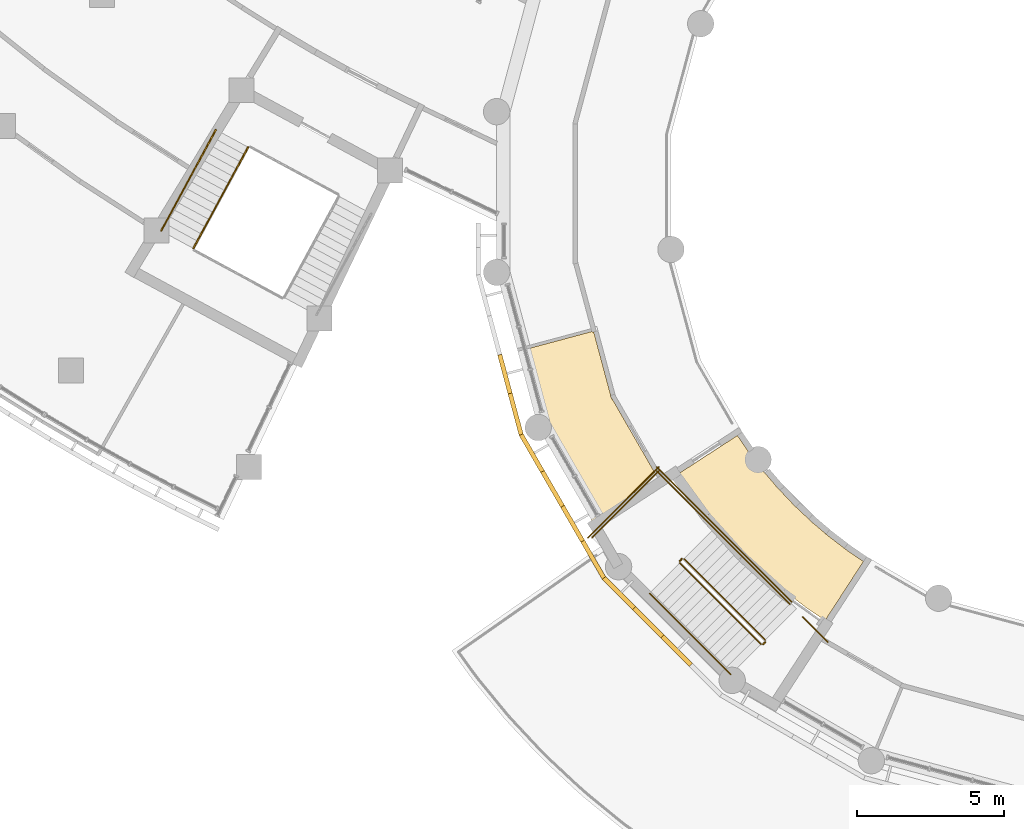
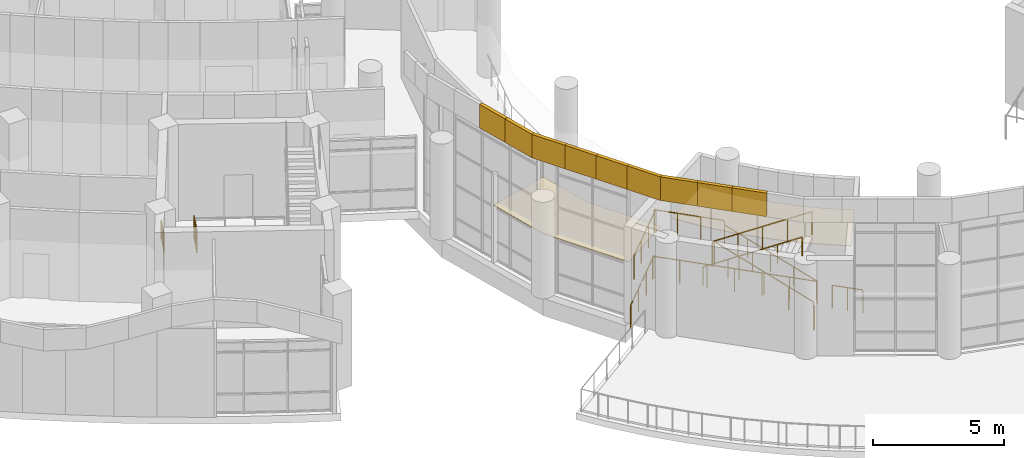
# One storey, part 116 of 136: 13 railings, 11 coverings.
"""IFC4 building model written with IfcOpenShell, lengths in metres."""

from ifc_helpers import new_model, si_unit, direction, frame, origin, origin_2d, place, context, subcontext, project, spatial, polyline, circle, outline, extrude, material, layer, layer_set, type_object, element, save


model = new_model("IFC4")

# Units and contexts
model_context = context("Model", 3, precision=1e-05, world=origin(), true_north=direction((0.0, 1.0)))
body_context = subcontext(model_context, "Body", "Model", "MODEL_VIEW")
ifc_project = project(units=[si_unit("LENGTHUNIT", "METRE"), si_unit("AREAUNIT", "SQUARE_METRE"), si_unit("VOLUMEUNIT", "CUBIC_METRE"), si_unit("PLANEANGLEUNIT", "RADIAN"), si_unit("MASSUNIT", "GRAM", prefix="KILO")], contexts=[model_context])

# Site, building, storey
site_placement = place(None, origin())
site = spatial("IfcSite", under=ifc_project, at=site_placement, CompositionType="ELEMENT")
building_placement = place(site_placement, origin())
building = spatial("IfcBuilding", under=site, at=building_placement, Name="Bougainvillea Quay General Hospital", CompositionType="ELEMENT")
storey_placement = place(building_placement, frame((0.0, 0.0, 5.39990234375)))
storey = spatial("IfcBuildingStorey", under=building, at=storey_placement, Name="L01", CompositionType="ELEMENT", Elevation=5.39990234375)

# Coverings
ifc_material_1 = material(Name="Powder-coated aluminium fascia, white", Category="aluminium")
ifc_layer_1 = layer(ifc_material_1, 0.14990234375)
ifc_layer_set_1 = layer_set([ifc_layer_1], Name="Powder-coated aluminium fascia, white")
covering_type_1 = type_object("IfcCoveringType", Name="Aluminium fascia band white 150x1100", PredefinedType="CLADDING", material=ifc_layer_set_1)
covering_1_placement = place(storey_placement, frame((88.558349609375, 68.46923828125, 6.650146484375), z_axis=(0.0, 0.0, 1.0), x_axis=(0.258804342537, -0.96592976571, 0.0)))
element("IfcCovering", 1, at=covering_1_placement, inside=storey, type_object=covering_type_1, Name="Fascia band white e0 5", PredefinedType="CLADDING", context=body_context, shape_type="SweptSolid", body=[
    extrude(outline(polyline([(0.0, 0.0), (1.3706737864135623, -5.551115123125783e-17), (1.370637910749763, -0.15012504182005457), (-3.5875663799166124e-05, -0.15012504182005454), (0.0, 0.0)])), origin(), (0.0, 0.0, 1.0), 1.10009765625),
])
covering_2_placement = place(storey_placement, frame((88.9130859375, 67.145263671875, 6.650146484375), z_axis=(0.0, 0.0, 1.0), x_axis=(0.258747363618, -0.965945030434, 0.0)))
element("IfcCovering", 2, at=covering_2_placement, inside=storey, type_object=covering_type_1, Name="Fascia band white e0 6", PredefinedType="CLADDING", context=body_context, shape_type="SweptSolid", body=[
    extrude(outline(polyline([(0.0, 0.0), (1.4426852911843133, 0.0), (1.462442488504424, -0.14986418031882914), (-2.7020056225221523e-05, -0.1501250436751075), (0.0, 0.0)])), origin(), (0.0, 0.0, 1.0), 1.10009765625),
])
covering_3_placement = place(storey_placement, frame((89.286376953125, 65.751708984375, 6.650146484375), z_axis=(0.0, 0.0, 1.0), x_axis=(0.49994213401, -0.866058810152, 0.0)))
element("IfcCovering", 3, at=covering_3_placement, inside=storey, type_object=covering_type_1, Name="Fascia band white e0 7", PredefinedType="CLADDING", context=body_context, shape_type="SweptSolid", body=[
    extrude(outline(polyline([(0.0, 0.0), (1.4430380994058942, 0.0), (1.443016331686934, -0.14995740286665526), (-0.019704824865206458, -0.14987107548026693), (0.0, 0.0)])), origin(), (0.0, 0.0, 1.0), 1.10009765625),
])
for number, where, z_axis, x_axis, name in (
    (4, (90.0078125, 64.501953125, 6.650146484375), (0.0, 0.0, 1.0), (0.499989712218, -0.866031343357, 0.0), "Fascia band white e0 8"),
    (5, (90.693115234375, 63.31494140625, 6.650146484375), (0.0, 0.0, 1.0), (0.499989712218, -0.866031343357, 0.0), "Fascia band white e0 9"),
):
    element("IfcCovering", number, at=place(storey_placement, frame(where, z_axis=z_axis, x_axis=x_axis)), inside=storey, type_object=covering_type_1, Name=name, PredefinedType="CLADDING", context=body_context, shape_type="SweptSolid", body=[
        extrude(outline(polyline([(0.0, 0.0), (1.3706336703115394, 0.0), (1.3706036643327093, -0.14995740144450087), (-3.0005978829975022e-05, -0.14995740144450084), (0.0, 0.0)])), origin(), (0.0, 0.0, 1.0), 1.10009765625),
    ])
covering_4_placement = place(storey_placement, frame((91.37841796875, 62.1279296875, 6.650146484375), z_axis=(0.0, 0.0, 1.0), x_axis=(0.500015396624, -0.866016514357, 0.0)))
element("IfcCovering", 6, at=covering_4_placement, inside=storey, type_object=covering_type_1, Name="Fascia band white e0 10", PredefinedType="CLADDING", context=body_context, shape_type="SweptSolid", body=[
    extrude(outline(polyline([(0.0, 0.0), (1.4428266644293797, 0.0), (1.4626866906226388, -0.15016746703797101), (-3.44533927520152e-05, -0.1499574004886377), (0.0, 0.0)])), origin(), (0.0, 0.0, 1.0), 1.10009765625),
])
covering_5_placement = place(storey_placement, frame((92.099853515625, 60.87841796875, 6.650146484375), z_axis=(0.0, 0.0, 1.0), x_axis=(0.707106781187, -0.707106781187, 0.0)))
element("IfcCovering", 7, at=covering_5_placement, inside=storey, type_object=covering_type_1, Name="Fascia band white e0 11", PredefinedType="CLADDING", context=body_context, shape_type="SweptSolid", body=[
    extrude(outline(polyline([(0.0, 0.0), (1.4428707219621983, 0.0), (1.4428707219621983, -0.15019113760554115), (-0.01968021803107091, -0.1501911376055411), (0.0, 0.0)])), origin(), (0.0, 0.0, 1.0), 1.10009765625),
])
for number, where, z_axis, x_axis, name in (
    (8, (93.1201171875, 59.858154296875, 6.650146484375), (0.0, 0.0, 1.0), (0.707106781187, -0.707106781187, 0.0), "Fascia band white e0 12"),
    (9, (94.089111328125, 58.88916015625, 6.650146484375), (0.0, 0.0, 1.0), (0.707106781187, -0.707106781187, 0.0), "Fascia band white e0 13"),
):
    element("IfcCovering", number, at=place(storey_placement, frame(where, z_axis=z_axis, x_axis=x_axis)), inside=storey, type_object=covering_type_1, Name=name, PredefinedType="CLADDING", context=body_context, shape_type="SweptSolid", body=[
        extrude(outline(polyline([(0.0, 0.0), (1.370364655531937, 0.0), (1.370364655531937, -0.15019113760554115), (0.0, -0.15019113760554112), (0.0, 0.0)])), origin(), (0.0, 0.0, 1.0), 1.10009765625),
    ])

# Railings
ifc_material_2 = material(Name="Stainless steel 304 balustrade", Category="steel")
railing_type_1 = type_object("IfcRailingType", Name="Stair guard 1100", PredefinedType="GUARDRAIL", material=ifc_material_2)
railing_1_placement = place(storey_placement, frame((79.900634765625, 75.52734375, 0.150146484375)))
element("IfcRailing", 10, at=railing_1_placement, inside=storey, type_object=railing_type_1, Name="L01 ST-W1 stair guard 1", PredefinedType="GUARDRAIL", context=body_context, shape_type="SweptSolid", body=[
    extrude(circle(Radius=0.02392578125, at=origin_2d()), frame((0.0, 0.0, 1.076171875), z_axis=(-0.419376834955, -0.775344814775, 0.472190097846), x_axis=(0.879577626518, -0.475755398214, 0.0)), (0.0, 0.0, 1.0), 4.447021484375),
    extrude(circle(Radius=0.02099609375, at=origin_2d()), origin(), (0.0, 0.0, 1.0), 1.052001953125),
    extrude(circle(Radius=0.02099609375, at=origin_2d()), frame((-0.46630859375, -0.862060546875, 0.52490234375)), (0.0, 0.0, 1.0), 1.052001953125),
    extrude(circle(Radius=0.02099609375, at=origin_2d()), frame((-0.9326171875, -1.72412109375, 1.0498046875)), (0.0, 0.0, 1.0), 1.052001953125),
    extrude(circle(Radius=0.02099609375, at=origin_2d()), frame((-1.398681640625, -2.5859375, 1.574951171875)), (0.0, 0.0, 1.0), 1.052001953125),
    extrude(circle(Radius=0.02099609375, at=origin_2d()), frame((-1.864990234375, -3.447998046875, 2.099853515625)), (0.0, 0.0, 1.0), 1.052001953125),
])
railing_2_placement = place(storey_placement, frame((97.54052734375, 58.7119140625, 0.150146484375)))
element("IfcRailing", 11, at=railing_2_placement, inside=storey, type_object=railing_type_1, Name="L01 ST-H2 stair guard 1", PredefinedType="GUARDRAIL", context=body_context, shape_type="SweptSolid", body=[
    extrude(circle(Radius=0.02392578125, at=origin_2d()), frame((0.0, 0.0, 1.076171875), z_axis=(-0.623282307951, 0.623337208181, 0.472196875776), x_axis=(-0.707137920976, -0.707075640025, 0.0)), (0.0, 0.0, 1.0), 4.447021484375),
    extrude(circle(Radius=0.02099609375, at=origin_2d()), origin(), (0.0, 0.0, 1.0), 1.052001953125),
    extrude(circle(Radius=0.02099609375, at=origin_2d()), frame((-0.69287109375, 0.69287109375, 0.52490234375)), (0.0, 0.0, 1.0), 1.052001953125),
    extrude(circle(Radius=0.02099609375, at=origin_2d()), frame((-1.3857421875, 1.385986328125, 1.0498046875)), (0.0, 0.0, 1.0), 1.052001953125),
    extrude(circle(Radius=0.02099609375, at=origin_2d()), frame((-2.078857421875, 2.0791015625, 1.574951171875)), (0.0, 0.0, 1.0), 1.052001953125),
    extrude(circle(Radius=0.02099609375, at=origin_2d()), frame((-2.771728515625, 2.77197265625, 2.099853515625)), (0.0, 0.0, 1.0), 1.052001953125),
])
railing_3_placement = place(storey_placement, frame((94.697998046875, 61.48388671875, 2.25)))
element("IfcRailing", 12, at=railing_3_placement, inside=storey, type_object=railing_type_1, Name="L01 ST-H2 stair guard 2", PredefinedType="GUARDRAIL", context=body_context, shape_type="SweptSolid", body=[
    extrude(circle(Radius=0.02392578125, at=origin_2d()), frame((0.0, 0.0, 1.076171875), z_axis=(-0.705884473151, -0.708326979978, 0.0), x_axis=(0.708326979978, -0.705884473151, 0.0)), (0.0, 0.0, 1.0), 0.099853515625),
    extrude(circle(Radius=0.02099609375, at=origin_2d()), origin(), (0.0, 0.0, 1.0), 1.052001953125),
    extrude(circle(Radius=0.02099609375, at=origin_2d()), frame((-0.070556640625, -0.07080078125, 0.0)), (0.0, 0.0, 1.0), 1.052001953125),
])
railing_4_placement = place(storey_placement, frame((95.80322265625, 62.518310546875, 2.25)))
element("IfcRailing", 13, at=railing_4_placement, inside=storey, type_object=railing_type_1, Name="L01 ST-H2 stair guard 3", PredefinedType="GUARDRAIL", context=body_context, shape_type="SweptSolid", body=[
    extrude(circle(Radius=0.02392578125, at=origin_2d()), frame((0.0, 0.0, 1.076171875), z_axis=(-0.707106781187, 0.707106781187, 0.0), x_axis=(-0.707106781187, -0.707106781187, 0.0)), (0.0, 0.0, 1.0), 2.77490234375),
    extrude(circle(Radius=0.02099609375, at=origin_2d()), origin(), (0.0, 0.0, 1.0), 1.052001953125),
    extrude(circle(Radius=0.02099609375, at=origin_2d()), frame((-0.654052734375, 0.654052734375, 0.0)), (0.0, 0.0, 1.0), 1.052001953125),
    extrude(circle(Radius=0.02099609375, at=origin_2d()), frame((-1.30810546875, 1.30810546875, 0.0)), (0.0, 0.0, 1.0), 1.052001953125),
    extrude(circle(Radius=0.02099609375, at=origin_2d()), frame((-1.962158203125, 1.962158203125, 0.0)), (0.0, 0.0, 1.0), 1.052001953125),
])
railing_5_placement = place(storey_placement, frame((93.911865234375, 64.48046875, 2.25)))
element("IfcRailing", 14, at=railing_5_placement, inside=storey, type_object=railing_type_1, Name="L01 ST-H2 stair guard 4", PredefinedType="GUARDRAIL", context=body_context, shape_type="SweptSolid", body=[
    extrude(circle(Radius=0.02392578125, at=origin_2d()), frame((0.0, 0.0, 1.076171875), z_axis=(-0.707144619676, -0.707068940672, 0.0), x_axis=(0.707068940672, -0.707144619676, 0.0)), (0.0, 0.0, 1.0), 3.22607421875),
    extrude(circle(Radius=0.02099609375, at=origin_2d()), origin(), (0.0, 0.0, 1.0), 1.052001953125),
    extrude(circle(Radius=0.02099609375, at=origin_2d()), frame((-0.760498046875, -0.76025390625, 0.0)), (0.0, 0.0, 1.0), 1.052001953125),
    extrude(circle(Radius=0.02099609375, at=origin_2d()), frame((-1.520751953125, -1.520751953125, 0.0)), (0.0, 0.0, 1.0), 1.052001953125),
    extrude(circle(Radius=0.02099609375, at=origin_2d()), frame((-2.28125, -2.281005859375, 0.0)), (0.0, 0.0, 1.0), 1.052001953125),
])
railing_6_placement = place(storey_placement, frame((94.62744140625, 61.342529296875, 2.400146484375)))
element("IfcRailing", 15, at=railing_6_placement, inside=storey, type_object=railing_type_1, Name="L01 ST-H2 stair guard 5", PredefinedType="GUARDRAIL", context=body_context, shape_type="SweptSolid", body=[
    extrude(circle(Radius=0.02392578125, at=origin_2d()), frame((0.0, 0.0, 1.076171875), z_axis=(0.623282307951, -0.623337208181, 0.472196875776), x_axis=(0.707137920976, 0.707075640025, 0.0)), (0.0, 0.0, 1.0), 4.447021484375),
    extrude(circle(Radius=0.02099609375, at=origin_2d()), origin(), (0.0, 0.0, 1.0), 1.052001953125),
    extrude(circle(Radius=0.02099609375, at=origin_2d()), frame((0.69287109375, -0.69287109375, 0.52490234375)), (0.0, 0.0, 1.0), 1.052001953125),
    extrude(circle(Radius=0.02099609375, at=origin_2d()), frame((1.3857421875, -1.385986328125, 1.0498046875)), (0.0, 0.0, 1.0), 1.052001953125),
    extrude(circle(Radius=0.02099609375, at=origin_2d()), frame((2.078857421875, -2.0791015625, 1.574951171875)), (0.0, 0.0, 1.0), 1.052001953125),
    extrude(circle(Radius=0.02099609375, at=origin_2d()), frame((2.771728515625, -2.77197265625, 2.099853515625)), (0.0, 0.0, 1.0), 1.052001953125),
])
railing_7_placement = place(storey_placement, frame((97.54052734375, 58.641357421875, 0.0)))
element("IfcRailing", 16, at=railing_7_placement, inside=storey, type_object=railing_type_1, Name="L01 ST-H2 stair guard 6", PredefinedType="GUARDRAIL", context=body_context, shape_type="SweptSolid", body=[
    extrude(circle(Radius=0.02392578125, at=origin_2d()), frame((0.0, 0.0, 1.076171875), z_axis=(-0.705884473151, -0.708326979978, 0.0), x_axis=(0.708326979978, -0.705884473151, 0.0)), (0.0, 0.0, 1.0), 0.099853515625),
    extrude(circle(Radius=0.02099609375, at=origin_2d()), origin(), (0.0, 0.0, 1.0), 1.052001953125),
    extrude(circle(Radius=0.02099609375, at=origin_2d()), frame((-0.070556640625, -0.07080078125, 0.0)), (0.0, 0.0, 1.0), 1.052001953125),
])
railing_8_placement = place(storey_placement, frame((93.911865234375, 64.6220703125, 0.0)))
element("IfcRailing", 17, at=railing_8_placement, inside=storey, type_object=railing_type_1, Name="L01 ST-H2 stair guard 9", PredefinedType="GUARDRAIL", context=body_context, shape_type="SweptSolid", body=[
    extrude(circle(Radius=0.02392578125, at=origin_2d()), frame((0.0, 0.0, 1.076171875), z_axis=(-0.707106781187, -0.707106781187, 0.0), x_axis=(0.707106781187, -0.707106781187, 0.0)), (0.0, 0.0, 1.0), 3.426025390625),
    extrude(circle(Radius=0.02099609375, at=origin_2d()), origin(), (0.0, 0.0, 1.0), 1.052001953125),
    extrude(circle(Radius=0.02099609375, at=origin_2d()), frame((-0.8076171875, -0.8076171875, 0.0)), (0.0, 0.0, 1.0), 1.052001953125),
    extrude(circle(Radius=0.02099609375, at=origin_2d()), frame((-1.614990234375, -1.614990234375, 0.0)), (0.0, 0.0, 1.0), 1.052001953125),
    extrude(circle(Radius=0.02099609375, at=origin_2d()), frame((-2.422607421875, -2.422607421875, 0.0)), (0.0, 0.0, 1.0), 1.052001953125),
])
railing_9_placement = place(storey_placement, frame((99.680419921875, 58.641357421875, 0.0)))
element("IfcRailing", 18, at=railing_9_placement, inside=storey, type_object=railing_type_1, Name="L01 ST-H2 stair guard 7", PredefinedType="GUARDRAIL", context=body_context, shape_type="SweptSolid", body=[
    extrude(circle(Radius=0.02392578125, at=origin_2d()), frame((0.0, 0.0, 1.076171875), z_axis=(-0.707207429791, 0.707006118254, 0.0), x_axis=(-0.707006118254, -0.707207429791, 0.0)), (0.0, 0.0, 1.0), 1.212646484375),
    extrude(circle(Radius=0.02099609375, at=origin_2d()), origin(), (0.0, 0.0, 1.0), 1.052001953125),
    extrude(circle(Radius=0.02099609375, at=origin_2d()), frame((-0.4287109375, 0.4287109375, 0.0)), (0.0, 0.0, 1.0), 1.052001953125),
    extrude(circle(Radius=0.02099609375, at=origin_2d()), frame((-0.857666015625, 0.857421875, 0.0)), (0.0, 0.0, 1.0), 1.052001953125),
])
railing_10_placement = place(storey_placement, frame((98.444091796875, 60.01904296875, 0.0)))
element("IfcRailing", 19, at=railing_10_placement, inside=storey, type_object=railing_type_1, Name="L01 ST-H2 stair guard 8", PredefinedType="GUARDRAIL", context=body_context, shape_type="SweptSolid", body=[
    extrude(circle(Radius=0.02392578125, at=origin_2d()), frame((0.0, 0.0, 1.076171875), z_axis=(-0.707106781187, 0.707106781187, 0.0), x_axis=(-0.707106781187, -0.707106781187, 0.0)), (0.0, 0.0, 1.0), 6.509765625),
    extrude(circle(Radius=0.02099609375, at=origin_2d()), origin(), (0.0, 0.0, 1.0), 1.052001953125),
    extrude(circle(Radius=0.02099609375, at=origin_2d()), frame((-0.76708984375, 0.76708984375, 0.0)), (0.0, 0.0, 1.0), 1.052001953125),
    extrude(circle(Radius=0.02099609375, at=origin_2d()), frame((-1.534423828125, 1.534423828125, 0.0)), (0.0, 0.0, 1.0), 1.052001953125),
    extrude(circle(Radius=0.02099609375, at=origin_2d()), frame((-2.301513671875, 2.301513671875, 0.0)), (0.0, 0.0, 1.0), 1.052001953125),
    extrude(circle(Radius=0.02099609375, at=origin_2d()), frame((-3.068603515625, 3.068603515625, 0.0)), (0.0, 0.0, 1.0), 1.052001953125),
    extrude(circle(Radius=0.02099609375, at=origin_2d()), frame((-3.8359375, 3.8359375, 0.0)), (0.0, 0.0, 1.0), 1.052001953125),
    extrude(circle(Radius=0.02099609375, at=origin_2d()), frame((-4.60302734375, 4.60302734375, 0.0)), (0.0, 0.0, 1.0), 1.052001953125),
])
ifc_material_3 = material(Name="Stainless steel 304 handrail", Category="steel")
railing_type_2 = type_object("IfcRailingType", Name="Stair handrail 900", PredefinedType="HANDRAIL", material=ifc_material_3)
railing_11_placement = place(storey_placement, frame((78.801025390625, 76.1220703125, 0.150146484375)))
element("IfcRailing", 20, at=railing_11_placement, inside=storey, type_object=railing_type_2, Name="L01 ST-W1 stair handrail 1", PredefinedType="HANDRAIL", context=body_context, shape_type="SweptSolid", body=[
    extrude(circle(Radius=0.02392578125, at=origin_2d()), frame((0.0, 0.0, 0.8759765625), z_axis=(-0.419331589496, -0.775362665417, 0.472200969004), x_axis=(0.879603687813, -0.475707212881, 0.0)), (0.0, 0.0, 1.0), 4.447021484375),
    extrude(circle(Radius=0.02099609375, at=origin_2d()), origin(), (0.0, 0.0, 1.0), 0.851806640625),
    extrude(circle(Radius=0.02099609375, at=origin_2d()), frame((-0.46630859375, -0.862060546875, 0.52490234375)), (0.0, 0.0, 1.0), 0.851806640625),
    extrude(circle(Radius=0.02099609375, at=origin_2d()), frame((-0.932373046875, -1.72412109375, 1.0498046875)), (0.0, 0.0, 1.0), 0.851806640625),
    extrude(circle(Radius=0.02099609375, at=origin_2d()), frame((-1.3984375, -2.5859375, 1.574951171875)), (0.0, 0.0, 1.0), 0.851806640625),
    extrude(circle(Radius=0.02099609375, at=origin_2d()), frame((-1.86474609375, -3.447998046875, 2.099853515625)), (0.0, 0.0, 1.0), 0.851806640625),
])
railing_12_placement = place(storey_placement, frame((93.5927734375, 60.307861328125, 2.400146484375)))
element("IfcRailing", 21, at=railing_12_placement, inside=storey, type_object=railing_type_2, Name="L01 ST-H2 stair handrail 2", PredefinedType="HANDRAIL", context=body_context, shape_type="SweptSolid", body=[
    extrude(circle(Radius=0.02392578125, at=origin_2d()), frame((0.0, 0.0, 0.8759765625), z_axis=(0.623337208181, -0.623282307951, 0.472196875776), x_axis=(0.707075640025, 0.707137920976, 0.0)), (0.0, 0.0, 1.0), 4.447021484375),
    extrude(circle(Radius=0.02099609375, at=origin_2d()), origin(), (0.0, 0.0, 1.0), 0.851806640625),
    extrude(circle(Radius=0.02099609375, at=origin_2d()), frame((0.69287109375, -0.69287109375, 0.52490234375)), (0.0, 0.0, 1.0), 0.851806640625),
    extrude(circle(Radius=0.02099609375, at=origin_2d()), frame((1.385986328125, -1.3857421875, 1.0498046875)), (0.0, 0.0, 1.0), 0.851806640625),
    extrude(circle(Radius=0.02099609375, at=origin_2d()), frame((2.0791015625, -2.078857421875, 1.574951171875)), (0.0, 0.0, 1.0), 0.851806640625),
    extrude(circle(Radius=0.02099609375, at=origin_2d()), frame((2.77197265625, -2.771728515625, 2.099853515625)), (0.0, 0.0, 1.0), 0.851806640625),
])
railing_13_placement = place(storey_placement, frame((98.384521484375, 59.937255859375, 0.29443359375)))
element("IfcRailing", 22, at=railing_13_placement, inside=storey, type_object=railing_type_2, Name="L01 ST-H2 stair handrail 1", PredefinedType="HANDRAIL", context=body_context, shape_type="SweptSolid", body=[
    extrude(circle(Radius=0.02392578125, at=origin_2d()), frame((0.0, 0.0, 0.8759765625), z_axis=(-0.623327829849, 0.623268875169, 0.472226985443), x_axis=(-0.707073339545, -0.707140221246, 0.0)), (0.0, 0.0, 1.0), 4.14111328125),
    extrude(circle(Radius=0.02099609375, at=origin_2d()), origin(), (0.0, 0.0, 1.0), 0.851806640625),
    extrude(circle(Radius=0.02099609375, at=origin_2d()), frame((-0.645263671875, 0.645263671875, 0.48876953125)), (0.0, 0.0, 1.0), 0.851806640625),
    extrude(circle(Radius=0.02099609375, at=origin_2d()), frame((-1.29052734375, 1.29052734375, 0.977783203125)), (0.0, 0.0, 1.0), 0.851806640625),
    extrude(circle(Radius=0.02099609375, at=origin_2d()), frame((-1.93603515625, 1.935791015625, 1.466796875)), (0.0, 0.0, 1.0), 0.851806640625),
    extrude(circle(Radius=0.02099609375, at=origin_2d()), frame((-2.581298828125, 2.5810546875, 1.95556640625)), (0.0, 0.0, 1.0), 0.851806640625),
])

# Coverings
ifc_material_4 = material(Name="Mineral fibre ceiling tile")
ifc_layer_2 = layer(ifc_material_4, 0.030029296875)
ifc_layer_set_2 = layer_set([ifc_layer_2], Name="Mineral fibre ceiling tile")
covering_type_2 = type_object("IfcCoveringType", Name="Suspended ceiling mineral fibre tile", PredefinedType="CEILING", material=ifc_layer_set_2)
covering_6_placement = place(storey_placement, frame((0.0, 0.0, 2.7001953125)))
element("IfcCovering", 23, at=covering_6_placement, inside=storey, type_object=covering_type_2, Name="Ceiling Smoke-proof Vestibule ST-H2", PredefinedType="CEILING", context=body_context, shape_type="SweptSolid", body=[
    extrude(outline(polyline([(99.5859375, 59.379638671875), (100.89306640625, 61.392822265625), (100.404541015625, 61.728759765625), (100.4013671875, 61.724853515625), (100.32421875, 61.7841796875), (100.243896484375, 61.83935546875), (100.246826171875, 61.843505859375), (99.7744140625, 62.205810546875), (99.77099609375, 62.201904296875), (99.697021484375, 62.265380859375), (99.619873046875, 62.324462890625), (99.622802734375, 62.32861328125), (99.170166015625, 62.71533203125), (99.166748046875, 62.711669921875), (99.09619140625, 62.778564453125), (99.02197265625, 62.842041015625), (99.025390625, 62.845703125), (98.593017578125, 63.25537109375), (98.589111328125, 63.251708984375), (98.522216796875, 63.322265625), (98.45166015625, 63.38916015625), (98.455322265625, 63.39306640625), (98.045654296875, 63.8251953125), (98.0419921875, 63.822021484375), (97.978515625, 63.89599609375), (97.91162109375, 63.966796875), (97.915283203125, 63.97021484375), (97.528564453125, 64.4228515625), (97.5244140625, 64.419677734375), (97.46533203125, 64.4970703125), (97.402099609375, 64.571044921875), (97.406005859375, 64.574462890625), (97.04345703125, 65.046875), (97.039306640625, 65.0439453125), (96.984130859375, 65.124267578125), (96.9248046875, 65.201416015625), (96.9287109375, 65.20458984375), (96.5927734375, 65.693115234375), (94.57958984375, 64.385986328125), (95.0419921875, 63.7138671875), (95.599853515625, 62.987060546875), (96.1953125, 62.2900390625), (96.82568359375, 61.625732421875), (97.489990234375, 60.995361328125), (98.18701171875, 60.399658203125), (98.913818359375, 59.841796875), (99.5859375, 59.379638671875)])), origin(), (0.0, 0.0, 1.0), 0.02978515625),
])
covering_7_placement = place(storey_placement, frame((0.0, 0.0, 2.7001953125)))
element("IfcCovering", 24, at=covering_7_placement, inside=storey, type_object=covering_type_2, Name="Ceiling Gallery Lounge 01H0111", PredefinedType="CEILING", context=body_context, shape_type="SweptSolid", body=[
    extrude(outline(polyline([(89.799072265625, 65.964111328125), (91.68994140625, 62.6884765625), (93.93310546875, 64.144775390625), (93.919189453125, 64.166015625), (93.92236328125, 64.168212890625), (92.32373046875, 66.937744140625), (92.306884765625, 66.93310546875), (92.2900390625, 66.99609375), (92.257568359375, 67.052490234375), (92.272705078125, 67.061279296875), (91.691162109375, 69.230712890625), (91.633544921875, 69.21484375), (91.62646484375, 69.2392578125), (89.10302734375, 68.562744140625), (89.090087890625, 68.611083984375), (89.799072265625, 65.964111328125)])), origin(), (0.0, 0.0, 1.0), 0.02978515625),
])

save(model, "model.ifc")
